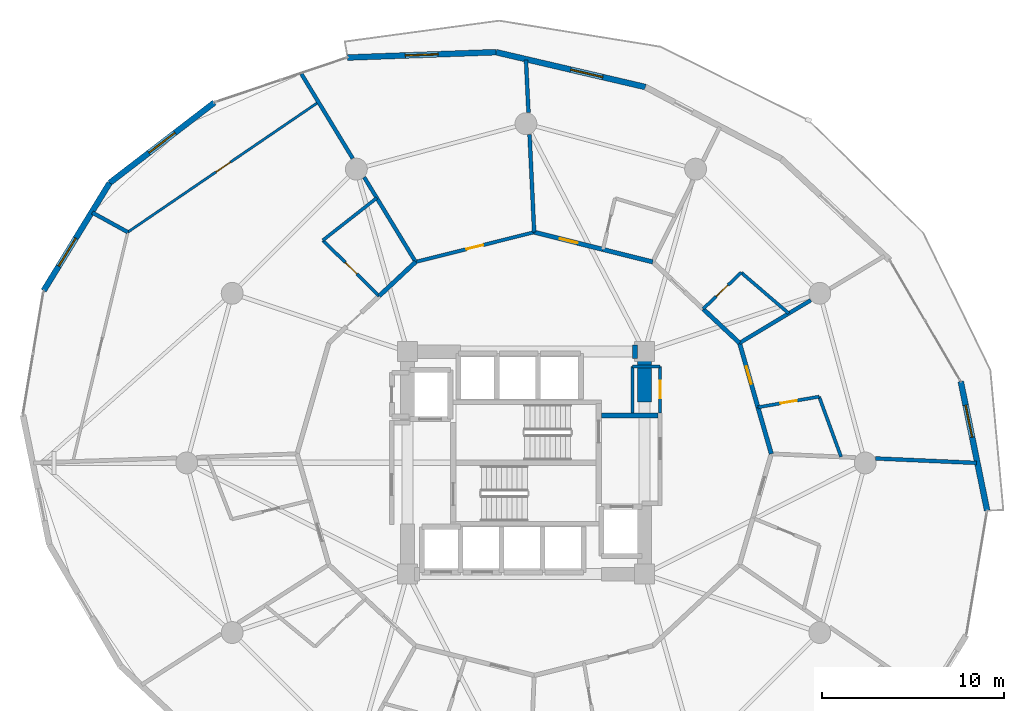
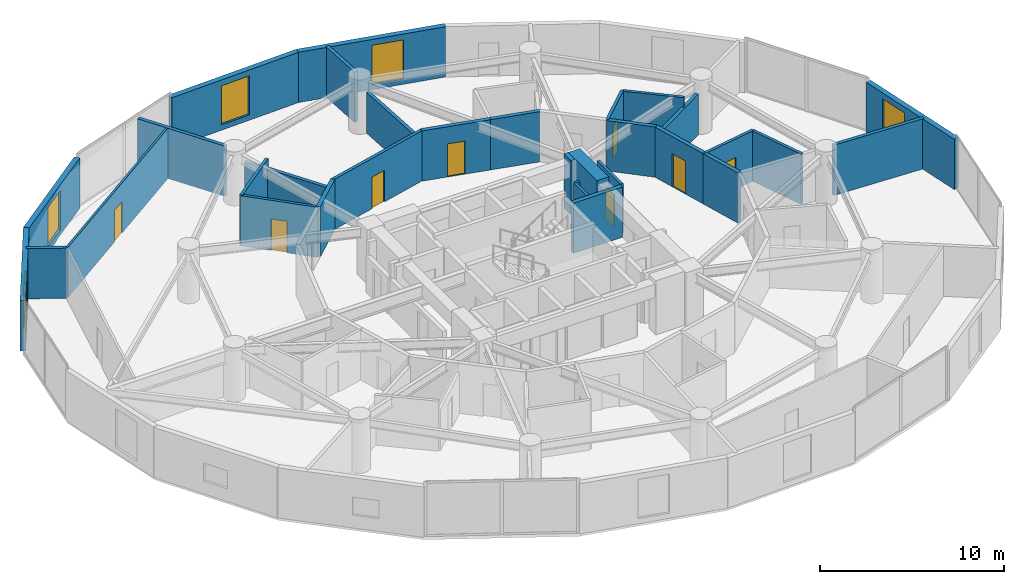
# One storey, part 20 of 23: 32 walls, 8 doors, 5 windows, 13 openings.
"""IFC4 building model written with IfcOpenShell, lengths in metres."""

from ifc_helpers import new_model, si_unit, direction, frame, frame_2d, origin, place, context, subcontext, project, spatial, rectangle, extrude, material, layer, layer_set, type_object, element, fill, save


model = new_model("IFC4")

# Units and contexts
model_context = context("Model", 3, precision=1e-05, world=origin(), true_north=direction((0.0, 1.0)))
body_context = subcontext(model_context, "Body", "Model", "MODEL_VIEW")
ifc_project = project(units=[si_unit("LENGTHUNIT", "METRE"), si_unit("AREAUNIT", "SQUARE_METRE"), si_unit("VOLUMEUNIT", "CUBIC_METRE"), si_unit("PLANEANGLEUNIT", "RADIAN"), si_unit("MASSUNIT", "GRAM", prefix="KILO")], contexts=[model_context])

# Site, building, storey
site_placement = place(None, origin())
site = spatial("IfcSite", under=ifc_project, at=site_placement, CompositionType="ELEMENT")
building_placement = place(site_placement, origin())
building = spatial("IfcBuilding", under=site, at=building_placement, Name="Solvirekh Grand Hotel", CompositionType="ELEMENT")
storey_placement = place(building_placement, frame((0.0, 0.0, 75.199951171875)))
storey = spatial("IfcBuildingStorey", under=building, at=storey_placement, Name="L18", CompositionType="ELEMENT", Elevation=75.199951171875)

# Walls
ifc_material_1 = material(Name="Concrete C60/75", Category="concrete")
ifc_layer_1 = layer(ifc_material_1, 0.75)
ifc_layer_set_1 = layer_set([ifc_layer_1], Name="Concrete C60/75")
wall_type_1 = type_object("IfcWallType", Name="CoreWall_RC750", PredefinedType="SHEAR", material=ifc_layer_set_1)
wall_1_placement = place(storey_placement, frame((5.85009765625, 6.10009765625, 0.0), z_axis=(0.0, 0.0, 1.0), x_axis=(1.0, 0.0, 0.0)))
element("IfcWall", 1, at=wall_1_placement, inside=storey, type_object=wall_type_1, Name="L18 core corner shear wall NE-N", PredefinedType="SHEAR", context=body_context, shape_type="SweptSolid", body=[
    extrude(rectangle(XDim=0.27490234375, YDim=0.75, at=frame_2d((0.137451171875, 0.0))), origin(), (0.0, 0.0, 1.0), 3.60009765625),
])
wall_2_placement = place(storey_placement, frame((6.5, 3.35009765625, 0.0), z_axis=(0.0, 0.0, 1.0), x_axis=(0.0, 1.0, 0.0)))
element("IfcWall", 2, at=wall_2_placement, inside=storey, type_object=wall_type_1, Name="L18 core corner shear wall EN-E", PredefinedType="SHEAR", context=body_context, shape_type="SweptSolid", body=[
    extrude(rectangle(XDim=3.125, YDim=0.75, at=frame_2d((1.5625, 0.0))), origin(), (0.0, 0.0, 1.0), 3.60009765625),
])

# Wall, opening, window
ifc_material_2 = material(Name="Precast concrete C45/55", Category="concrete")
ifc_layer_2 = layer(ifc_material_2, 0.320068359375)
ifc_layer_set_2 = layer_set([ifc_layer_2], Name="Precast concrete C45/55")
wall_type_2 = type_object("IfcWallType", Name="ExtLobbyWall_RC320", PredefinedType="SOLIDWALL", material=ifc_layer_set_2)
wall_3_placement = place(storey_placement, frame((23.8369140625, 4.470947265625, 0.0), z_axis=(0.0, 0.0, 1.0), x_axis=(0.200054576405, -0.979784755168, 0.0)))
wall_3 = element("IfcWall", 3, at=wall_3_placement, inside=storey, type_object=wall_type_2, Name="L18 exterior structural wall chord 2", PredefinedType="SOLIDWALL", context=body_context, shape_type="SweptSolid", body=[
    extrude(rectangle(XDim=7.233154296875, YDim=0.320068359375, at=frame_2d((3.61669921875, 0.0))), origin(), (0.0, 0.0, 1.0), 3.340087890625),
])
opening_1_placement = place(wall_3_placement, frame((1.327880859375, 0.0, 0.35009765625)))
opening_1 = element("IfcOpeningElement", 4, at=opening_1_placement, cuts=wall_3, Name="Opening W02", PredefinedType="OPENING", context=body_context, shape_type="SweptSolid", body=[
    extrude(rectangle(XDim=1.800048828125, YDim=2.60009765625, at=frame_2d((0.89990234375, 1.300048828125))), frame((0.0, 0.169921875, 0.0), z_axis=(0.0, -1.0, 0.0), x_axis=(1.0, 0.0, 0.0)), (0.0, 0.0, 1.0), 0.340087890625),
])
ifc_material_3 = material(Name="Low-E Tinted Bronze Laminated Glass", Category="aluminium")
window_type = type_object("IfcWindowType", Name="Win_LobbyExt_1800X2600", PartitioningType="SINGLE_PANEL", PredefinedType="WINDOW", material=ifc_material_3)
window_1_placement = place(opening_1_placement, origin())
window_1 = element("IfcWindow", 5, at=window_1_placement, inside=storey, type_object=window_type, Name="L18 panoramic bronze-framed window 2", OverallHeight=2.60009765625, OverallWidth=1.800048828125, PartitioningType="SINGLE_PANEL", PredefinedType="WINDOW", context=body_context, shape_type="SweptSolid", body=[
    extrude(rectangle(XDim=1.800048828125, YDim=2.60009765625, at=frame_2d((0.89990234375, 1.300048828125))), frame((0.0, 0.030029296875, 0.0), z_axis=(0.0, -1.0, 0.0), x_axis=(1.0, 0.0, 0.0)), (0.0, 0.0, 1.0), 0.06005859375),
])
fill(opening_1, window_1)

wall_4_placement = place(storey_placement, frame((-1.64501953125, 22.52001953125, 0.0), z_axis=(0.0, 0.0, 1.0), x_axis=(0.973850842265, -0.227188329407, 0.0)))
wall_4 = element("IfcWall", 6, at=wall_4_placement, inside=storey, type_object=wall_type_2, Name="L18 exterior structural wall chord 6", PredefinedType="SOLIDWALL", context=body_context, shape_type="SweptSolid", body=[
    extrude(rectangle(XDim=8.412109375, YDim=0.320068359375, at=frame_2d((4.2060546875, 0.0))), origin(), (0.0, 0.0, 1.0), 3.340087890625),
])
opening_2_placement = place(wall_4_placement, frame((4.205078125, 0.0, 0.35009765625)))
opening_2 = element("IfcOpeningElement", 7, at=opening_2_placement, cuts=wall_4, Name="Opening W02", PredefinedType="OPENING", context=body_context, shape_type="SweptSolid", body=[
    extrude(rectangle(XDim=1.800048828125, YDim=2.60009765625, at=frame_2d((0.89990234375, 1.300048828125))), frame((0.0, 0.169921875, 0.0), z_axis=(0.0, -1.0, 0.0), x_axis=(1.0, 0.0, 0.0)), (0.0, 0.0, 1.0), 0.340087890625),
])
window_2_placement = place(opening_2_placement, origin())
window_2 = element("IfcWindow", 8, at=window_2_placement, inside=storey, type_object=window_type, Name="L18 panoramic bronze-framed window 6", OverallHeight=2.60009765625, OverallWidth=1.800048828125, PartitioningType="SINGLE_PANEL", PredefinedType="WINDOW", context=body_context, shape_type="SweptSolid", body=[
    extrude(rectangle(XDim=1.800048828125, YDim=2.60009765625, at=frame_2d((0.89990234375, 1.300048828125))), frame((0.0, 0.030029296875, 0.0), z_axis=(0.0, -1.0, 0.0), x_axis=(1.0, 0.0, 0.0)), (0.0, 0.0, 1.0), 0.06005859375),
])
fill(opening_2, window_2)

wall_5_placement = place(storey_placement, frame((-9.7900390625, 22.22607421875, 0.0), z_axis=(0.0, 0.0, 1.0), x_axis=(0.999349428773, 0.03606548505, 0.0)))
wall_5 = element("IfcWall", 9, at=wall_5_placement, inside=storey, type_object=wall_type_2, Name="L18 exterior structural wall chord 7", PredefinedType="SOLIDWALL", context=body_context, shape_type="SweptSolid", body=[
    extrude(rectangle(XDim=8.150390625, YDim=0.320068359375, at=frame_2d((4.0751953125, 0.0))), origin(), (0.0, 0.0, 1.0), 3.340087890625),
])
opening_3_placement = place(wall_5_placement, frame((3.175048828125, 0.0, 0.35009765625)))
opening_3 = element("IfcOpeningElement", 10, at=opening_3_placement, cuts=wall_5, Name="Opening W02", PredefinedType="OPENING", context=body_context, shape_type="SweptSolid", body=[
    extrude(rectangle(XDim=1.800048828125, YDim=2.60009765625, at=frame_2d((0.89990234375, 1.300048828125))), frame((0.0, 0.169921875, 0.0), z_axis=(0.0, -1.0, 0.0), x_axis=(1.0, 0.0, 0.0)), (0.0, 0.0, 1.0), 0.340087890625),
])
window_3_placement = place(opening_3_placement, origin())
window_3 = element("IfcWindow", 11, at=window_3_placement, inside=storey, type_object=window_type, Name="L18 panoramic bronze-framed window 7", OverallHeight=2.60009765625, OverallWidth=1.800048828125, PartitioningType="SINGLE_PANEL", PredefinedType="WINDOW", context=body_context, shape_type="SweptSolid", body=[
    extrude(rectangle(XDim=1.800048828125, YDim=2.60009765625, at=frame_2d((0.89990234375, 1.300048828125))), frame((0.0, 0.030029296875, 0.0), z_axis=(0.0, -1.0, 0.0), x_axis=(1.0, 0.0, 0.0)), (0.0, 0.0, 1.0), 0.06005859375),
])
fill(opening_3, window_3)

wall_6_placement = place(storey_placement, frame((-22.826904296875, 15.35302734375, 0.0), z_axis=(0.0, 0.0, 1.0), x_axis=(0.793329795388, 0.608792112095, 0.0)))
wall_6 = element("IfcWall", 12, at=wall_6_placement, inside=storey, type_object=wall_type_2, Name="L18 exterior structural wall chord 9", PredefinedType="SOLIDWALL", context=body_context, shape_type="SweptSolid", body=[
    extrude(rectangle(XDim=7.234130859375, YDim=0.320068359375, at=frame_2d((3.6171875, 0.0))), origin(), (0.0, 0.0, 1.0), 3.340087890625),
])
opening_4_placement = place(wall_6_placement, frame((2.717041015625, 0.0, 0.35009765625)))
opening_4 = element("IfcOpeningElement", 13, at=opening_4_placement, cuts=wall_6, Name="Opening W02", PredefinedType="OPENING", context=body_context, shape_type="SweptSolid", body=[
    extrude(rectangle(XDim=1.800048828125, YDim=2.60009765625, at=frame_2d((0.89990234375, 1.300048828125))), frame((0.0, 0.169921875, 0.0), z_axis=(0.0, -1.0, 0.0), x_axis=(1.0, 0.0, 0.0)), (0.0, 0.0, 1.0), 0.340087890625),
])
window_4_placement = place(opening_4_placement, origin())
window_4 = element("IfcWindow", 14, at=window_4_placement, inside=storey, type_object=window_type, Name="L18 panoramic bronze-framed window 9", OverallHeight=2.60009765625, OverallWidth=1.800048828125, PartitioningType="SINGLE_PANEL", PredefinedType="WINDOW", context=body_context, shape_type="SweptSolid", body=[
    extrude(rectangle(XDim=1.800048828125, YDim=2.60009765625, at=frame_2d((0.89990234375, 1.300048828125))), frame((0.0, 0.030029296875, 0.0), z_axis=(0.0, -1.0, 0.0), x_axis=(1.0, 0.0, 0.0)), (0.0, 0.0, 1.0), 0.06005859375),
])
fill(opening_4, window_4)

wall_7_placement = place(storey_placement, frame((-26.443115234375, 9.447021484375, 0.0), z_axis=(0.0, 0.0, 1.0), x_axis=(0.522184211397, 0.852832720625, 0.0)))
wall_7 = element("IfcWall", 15, at=wall_7_placement, inside=storey, type_object=wall_type_2, Name="L18 exterior structural wall chord 10", PredefinedType="SOLIDWALL", context=body_context, shape_type="SweptSolid", body=[
    extrude(rectangle(XDim=6.925048828125, YDim=0.320068359375, at=frame_2d((3.46240234375, 0.0))), origin(), (0.0, 0.0, 1.0), 3.340087890625),
])
opening_5_placement = place(wall_7_placement, frame((1.571044921875, 0.0, 0.35009765625)))
opening_5 = element("IfcOpeningElement", 16, at=opening_5_placement, cuts=wall_7, Name="Opening W02", PredefinedType="OPENING", context=body_context, shape_type="SweptSolid", body=[
    extrude(rectangle(XDim=1.800048828125, YDim=2.60009765625, at=frame_2d((0.89990234375, 1.300048828125))), frame((0.0, 0.169921875, 0.0), z_axis=(0.0, -1.0, 0.0), x_axis=(1.0, 0.0, 0.0)), (0.0, 0.0, 1.0), 0.340087890625),
])
window_5_placement = place(opening_5_placement, origin())
window_5 = element("IfcWindow", 17, at=window_5_placement, inside=storey, type_object=window_type, Name="L18 panoramic bronze-framed window 10", OverallHeight=2.60009765625, OverallWidth=1.800048828125, PartitioningType="SINGLE_PANEL", PredefinedType="WINDOW", context=body_context, shape_type="SweptSolid", body=[
    extrude(rectangle(XDim=1.800048828125, YDim=2.60009765625, at=frame_2d((0.89990234375, 1.300048828125))), frame((0.0, 0.030029296875, 0.0), z_axis=(0.0, -1.0, 0.0), x_axis=(1.0, 0.0, 0.0)), (0.0, 0.0, 1.0), 0.06005859375),
])
fill(opening_5, window_5)

# Wall, opening, door
ifc_material_4 = material(Name="Acoustic Gypsum Partition Assembly")
ifc_layer_3 = layer(ifc_material_4, 0.1650390625)
ifc_layer_set_3 = layer_set([ifc_layer_3], Name="Acoustic Gypsum Partition Assembly")
wall_type_3 = type_object("IfcWallType", Name="Part_BOH_165", PredefinedType="PARTITIONING", material=ifc_layer_set_3)
wall_8_placement = place(storey_placement, frame((7.35009765625, 2.75, 0.0), z_axis=(0.0, 0.0, 1.0), x_axis=(0.0, 1.0, 0.0)))
wall_8 = element("IfcWall", 18, at=wall_8_placement, inside=storey, type_object=wall_type_3, Name="L18 L18 Core Housekeeping & Linen Room wall 2", PredefinedType="PARTITIONING", context=body_context, shape_type="SweptSolid", body=[
    extrude(rectangle(XDim=2.550048828125, YDim=0.1650390625, at=frame_2d((1.27490234375, 0.0))), origin(), (0.0, 0.0, 1.0), 3.340087890625),
])
opening_6_placement = place(wall_8_placement, frame((0.800048828125, 0.0, 0.0)))
opening_6 = element("IfcOpeningElement", 19, at=opening_6_placement, cuts=wall_8, Name="Opening D10", PredefinedType="OPENING", context=body_context, shape_type="SweptSolid", body=[
    extrude(rectangle(XDim=0.949951171875, YDim=2.10009765625, at=frame_2d((0.47509765625, 1.050048828125))), frame((0.0, 0.092529296875, 0.0), z_axis=(0.0, -1.0, 0.0), x_axis=(1.0, 0.0, 0.0)), (0.0, 0.0, 1.0), 0.18505859375),
])
ifc_material_5 = material(Name="Anodized Bronze Aluminium 6063-T6", Category="aluminium")
door_type_1 = type_object("IfcDoorType", Name="Door_RoomInt_950X2100", OperationType="NOTDEFINED", PredefinedType="DOOR", material=ifc_material_5)
door_1_placement = place(opening_6_placement, origin())
door_1 = element("IfcDoor", 20, at=door_1_placement, inside=storey, type_object=door_type_1, Name="L18 L18 Core Housekeeping & Linen Room door", OperationType="SINGLE_SWING_RIGHT", OverallHeight=2.10009765625, OverallWidth=0.949951171875, PredefinedType="DOOR", context=body_context, shape_type="SweptSolid", body=[
    extrude(rectangle(XDim=0.949951171875, YDim=2.10009765625, at=frame_2d((0.47509765625, 1.050048828125))), frame((0.0, 0.02490234375, 0.0), z_axis=(0.0, -1.0, 0.0), x_axis=(1.0, 0.0, 0.0)), (0.0, 0.0, 1.0), 0.050048828125),
])
fill(opening_6, door_1)

# Walls
wall_9_placement = place(storey_placement, frame((7.35009765625, 5.300048828125, 0.0), z_axis=(0.0, 0.0, 1.0), x_axis=(-1.0, 0.0, 0.0)))
element("IfcWall", 21, at=wall_9_placement, inside=storey, type_object=wall_type_3, Name="L18 L18 Core Housekeeping & Linen Room wall 3", PredefinedType="PARTITIONING", context=body_context, shape_type="SweptSolid", body=[
    extrude(rectangle(XDim=1.5, YDim=0.1650390625, at=frame_2d((0.75, 0.0))), origin(), (0.0, 0.0, 1.0), 2.425048828125),
])
wall_10_placement = place(storey_placement, frame((5.85009765625, 5.300048828125, 0.0), z_axis=(0.0, 0.0, 1.0), x_axis=(0.0, -1.0, 0.0)))
element("IfcWall", 22, at=wall_10_placement, inside=storey, type_object=wall_type_3, Name="L18 L18 Core Housekeeping & Linen Room wall 4", PredefinedType="PARTITIONING", context=body_context, shape_type="SweptSolid", body=[
    extrude(rectangle(XDim=2.550048828125, YDim=0.1650390625, at=frame_2d((1.27490234375, 0.0))), origin(), (0.0, 0.0, 1.0), 2.425048828125),
])
ifc_layer_4 = layer(ifc_material_4, 0.239990234375)
ifc_layer_set_4 = layer_set([ifc_layer_4], Name="Acoustic Gypsum Partition Assembly")
wall_type_4 = type_object("IfcWallType", Name="Part_Corridor_240", PredefinedType="PARTITIONING", material=ifc_layer_set_4)
wall_11_placement = place(storey_placement, frame((-6.050048828125, 11.02197265625, 0.0), z_axis=(0.0, 0.0, 1.0), x_axis=(-0.730494026404, -0.682919085535, 0.0)))
element("IfcWall", 23, at=wall_11_placement, inside=storey, type_object=wall_type_4, Name="L18 En-suite Bathroom 2001 corridor backing wall", PredefinedType="PARTITIONING", context=body_context, shape_type="SweptSolid", body=[
    extrude(rectangle(XDim=2.735107421875, YDim=0.239990234375, at=frame_2d((1.36767578125, 0.0))), origin(), (0.0, 0.0, 1.0), 3.340087890625),
])
wall_12_placement = place(storey_placement, frame((13.449951171875, 0.5, 0.0), z_axis=(0.0, 0.0, 1.0), x_axis=(-0.275790140823, 0.961217872402, 0.0)))
element("IfcWall", 24, at=wall_12_placement, inside=storey, type_object=wall_type_4, Name="L18 En-suite Bathroom 2007 corridor backing wall", PredefinedType="PARTITIONING", context=body_context, shape_type="SweptSolid", body=[
    extrude(rectangle(XDim=2.654052734375, YDim=0.239990234375, at=frame_2d((1.3271484375, 0.0))), origin(), (0.0, 0.0, 1.0), 3.340087890625),
])

# Wall, opening, door
wall_13_placement = place(storey_placement, frame((12.718017578125, 3.051025390625, 0.0), z_axis=(0.0, 0.0, 1.0), x_axis=(-0.275521481409, 0.961294914832, 0.0)))
wall_13 = element("IfcWall", 25, at=wall_13_placement, inside=storey, type_object=wall_type_4, Name="L18 Deluxe Guestroom 2007 entrance wall", PredefinedType="PARTITIONING", context=body_context, shape_type="SweptSolid", body=[
    extrude(rectangle(XDim=3.665771484375, YDim=0.239990234375, at=frame_2d((1.8330078125, 0.0))), origin(), (0.0, 0.0, 1.0), 3.340087890625),
])
opening_7_placement = place(wall_13_placement, frame((1.3330078125, 0.0, 0.0)))
opening_7 = element("IfcOpeningElement", 26, at=opening_7_placement, cuts=wall_13, Name="Opening D07", PredefinedType="OPENING", context=body_context, shape_type="SweptSolid", body=[
    extrude(rectangle(XDim=1.0, YDim=2.199951171875, at=frame_2d((0.5, 1.10009765625))), frame((0.0, 0.1298828125, 0.0), z_axis=(0.0, -1.0, 0.0), x_axis=(1.0, 0.0, 0.0)), (0.0, 0.0, 1.0), 0.260009765625),
])
ifc_material_6 = material(Name="Fire-Rated Steel Door Assembly", Category="steel")
door_type_2 = type_object("IfcDoorType", Name="Door_GuestEntry_1000X2200", OperationType="NOTDEFINED", PredefinedType="DOOR", material=ifc_material_6)
door_2_placement = place(opening_7_placement, origin())
door_2 = element("IfcDoor", 27, at=door_2_placement, inside=storey, type_object=door_type_2, Name="L18 Deluxe Guestroom 2007 entrance door", OperationType="SINGLE_SWING_RIGHT", OverallHeight=2.199951171875, OverallWidth=1.0, PredefinedType="DOOR", context=body_context, shape_type="SweptSolid", body=[
    extrude(rectangle(XDim=1.0, YDim=2.199951171875, at=frame_2d((0.5, 1.10009765625))), frame((0.0, 0.02490234375, 0.0), z_axis=(0.0, -1.0, 0.0), x_axis=(1.0, 0.0, 0.0)), (0.0, 0.0, 1.0), 0.050048828125),
])
fill(opening_7, door_2)

# Walls
wall_14_placement = place(storey_placement, frame((11.7080078125, 6.574951171875, 0.0), z_axis=(0.0, 0.0, 1.0), x_axis=(-0.730449499178, 0.682966711597, 0.0)))
element("IfcWall", 28, at=wall_14_placement, inside=storey, type_object=wall_type_4, Name="L18 En-suite Bathroom 2008 corridor backing wall", PredefinedType="PARTITIONING", context=body_context, shape_type="SweptSolid", body=[
    extrude(rectangle(XDim=2.7353515625, YDim=0.239990234375, at=frame_2d((1.36767578125, 0.0))), origin(), (0.0, 0.0, 1.0), 3.340087890625),
])
wall_15_placement = place(storey_placement, frame((6.949951171875, 11.02197265625, 0.0), z_axis=(0.0, 0.0, 1.0), x_axis=(-0.970009682466, 0.243066278865, 0.0)))
element("IfcWall", 29, at=wall_15_placement, inside=storey, type_object=wall_type_4, Name="L18 En-suite Bathroom 2009 corridor backing wall", PredefinedType="PARTITIONING", context=body_context, shape_type="SweptSolid", body=[
    extrude(rectangle(XDim=2.814453125, YDim=0.239990234375, at=frame_2d((1.4072265625, 0.0))), origin(), (0.0, 0.0, 1.0), 3.340087890625),
])

# Wall, opening, door
wall_16_placement = place(storey_placement, frame((4.219970703125, 11.7060546875, 0.0), z_axis=(0.0, 0.0, 1.0), x_axis=(-0.970061149619, 0.24286079552, 0.0)))
wall_16 = element("IfcWall", 30, at=wall_16_placement, inside=storey, type_object=wall_type_4, Name="L18 Deluxe Guestroom 2009 entrance wall", PredefinedType="PARTITIONING", context=body_context, shape_type="SweptSolid", body=[
    extrude(rectangle(XDim=3.886474609375, YDim=0.239990234375, at=frame_2d((1.943359375, 0.0))), origin(), (0.0, 0.0, 1.0), 3.340087890625),
])
opening_8_placement = place(wall_16_placement, frame((1.443115234375, 0.0, 0.0)))
opening_8 = element("IfcOpeningElement", 31, at=opening_8_placement, cuts=wall_16, Name="Opening D07", PredefinedType="OPENING", context=body_context, shape_type="SweptSolid", body=[
    extrude(rectangle(XDim=1.0, YDim=2.199951171875, at=frame_2d((0.5, 1.10009765625))), frame((0.0, 0.1298828125, 0.0), z_axis=(0.0, -1.0, 0.0), x_axis=(1.0, 0.0, 0.0)), (0.0, 0.0, 1.0), 0.260009765625),
])
door_3_placement = place(opening_8_placement, origin())
door_3 = element("IfcDoor", 32, at=door_3_placement, inside=storey, type_object=door_type_2, Name="L18 Deluxe Guestroom 2009 entrance door", OperationType="SINGLE_SWING_RIGHT", OverallHeight=2.199951171875, OverallWidth=1.0, PredefinedType="DOOR", context=body_context, shape_type="SweptSolid", body=[
    extrude(rectangle(XDim=1.0, YDim=2.199951171875, at=frame_2d((0.5, 1.10009765625))), frame((0.0, 0.02490234375, 0.0), z_axis=(0.0, -1.0, 0.0), x_axis=(1.0, 0.0, 0.0)), (0.0, 0.0, 1.0), 0.050048828125),
])
fill(opening_8, door_3)

ifc_layer_5 = layer(ifc_material_4, 0.18994140625)
ifc_layer_set_5 = layer_set([ifc_layer_5], Name="Acoustic Gypsum Partition Assembly")
wall_type_5 = type_object("IfcWallType", Name="Part_GuestDemise_190", PredefinedType="PARTITIONING", material=ifc_layer_set_5)
wall_17_placement = place(storey_placement, frame((0.449951171875, 12.64990234375, 0.0), z_axis=(0.0, 0.0, 1.0), x_axis=(-0.970039538206, -0.242947101891, 0.0)))
wall_17 = element("IfcWall", 33, at=wall_17_placement, inside=storey, type_object=wall_type_5, Name="L18 L18 Constructivist Reading Lounge entrance wall", PredefinedType="PARTITIONING", context=body_context, shape_type="SweptSolid", body=[
    extrude(rectangle(XDim=6.70068359375, YDim=0.18994140625, at=frame_2d((3.350341796875, 0.0))), origin(), (0.0, 0.0, 1.0), 3.340087890625),
])
opening_9_placement = place(wall_17_placement, frame((2.875, 0.0, 0.0)))
opening_9 = element("IfcOpeningElement", 34, at=opening_9_placement, cuts=wall_17, Name="Opening D10", PredefinedType="OPENING", context=body_context, shape_type="SweptSolid", body=[
    extrude(rectangle(XDim=0.949951171875, YDim=2.10009765625, at=frame_2d((0.47509765625, 1.050048828125))), frame((0.0, 0.10498046875, 0.0), z_axis=(0.0, -1.0, 0.0), x_axis=(1.0, 0.0, 0.0)), (0.0, 0.0, 1.0), 0.2099609375),
])
door_4_placement = place(opening_9_placement, origin())
door_4 = element("IfcDoor", 35, at=door_4_placement, inside=storey, type_object=door_type_1, Name="L18 L18 Constructivist Reading Lounge entrance door", OperationType="SINGLE_SWING_LEFT", OverallHeight=2.10009765625, OverallWidth=0.949951171875, PredefinedType="DOOR", context=body_context, shape_type="SweptSolid", body=[
    extrude(rectangle(XDim=0.949951171875, YDim=2.10009765625, at=frame_2d((0.47509765625, 1.050048828125))), frame((0.0, 0.02490234375, 0.0), z_axis=(0.0, -1.0, 0.0), x_axis=(1.0, 0.0, 0.0)), (0.0, 0.0, 1.0), 0.050048828125),
])
fill(opening_9, door_4)

# Wall
ifc_layer_6 = layer(ifc_material_4, 0.260009765625)
ifc_layer_set_6 = layer_set([ifc_layer_6], Name="Acoustic Gypsum Partition Assembly")
wall_type_6 = type_object("IfcWallType", Name="Part_LobbyFF_260", PredefinedType="PARTITIONING", material=ifc_layer_set_6)
wall_18_placement = place(storey_placement, frame((4.1298828125, 2.60009765625, 0.0), z_axis=(0.0, 0.0, 1.0), x_axis=(1.0, 0.0, 0.0)))
element("IfcWall", 36, at=wall_18_placement, inside=storey, type_object=wall_type_6, Name="L18 east firefighting lobby north partition", PredefinedType="PARTITIONING", context=body_context, shape_type="SweptSolid", body=[
    extrude(rectangle(XDim=3.09521484375, YDim=0.260009765625, at=frame_2d((1.547607421875, 0.0))), origin(), (0.0, 0.0, 1.0), 3.340087890625),
])

# Wall, opening, door
ifc_layer_7 = layer(ifc_material_4, 0.135009765625)
ifc_layer_set_7 = layer_set([ifc_layer_7], Name="Acoustic Gypsum Partition Assembly")
wall_type_7 = type_object("IfcWallType", Name="Part_RoomInt_135", PredefinedType="PARTITIONING", material=ifc_layer_set_7)
wall_19_placement = place(storey_placement, frame((-11.375, 19.783935546875, 0.0), z_axis=(0.0, 0.0, 1.0), x_axis=(-0.826199588729, -0.563377528469, 0.0)))
wall_19 = element("IfcWall", 37, at=wall_19_placement, inside=storey, type_object=wall_type_7, Name="L18 Executive Suite 2001 Living Room bedroom screen wall", PredefinedType="PARTITIONING", context=body_context, shape_type="SweptSolid", body=[
    extrude(rectangle(XDim=12.655517578125, YDim=0.135009765625, at=frame_2d((6.32763671875, 0.0))), origin(), (0.0, 0.0, 1.0), 3.340087890625),
])
opening_10_placement = place(wall_19_placement, frame((5.85302734375, 0.0, 0.0)))
opening_10 = element("IfcOpeningElement", 38, at=opening_10_placement, cuts=wall_19, Name="Opening D10", PredefinedType="OPENING", context=body_context, shape_type="SweptSolid", body=[
    extrude(rectangle(XDim=0.949951171875, YDim=2.10009765625, at=frame_2d((0.47509765625, 1.050048828125))), frame((0.0, 0.07763671875, 0.0), z_axis=(0.0, -1.0, 0.0), x_axis=(1.0, 0.0, 0.0)), (0.0, 0.0, 1.0), 0.155029296875),
])
door_5_placement = place(opening_10_placement, origin())
door_5 = element("IfcDoor", 39, at=door_5_placement, inside=storey, type_object=door_type_1, Name="L18 Executive Suite 2001 Living Room master bedroom door", OperationType="SINGLE_SWING_LEFT", OverallHeight=2.10009765625, OverallWidth=0.949951171875, PredefinedType="DOOR", context=body_context, shape_type="SweptSolid", body=[
    extrude(rectangle(XDim=0.949951171875, YDim=2.10009765625, at=frame_2d((0.47509765625, 1.050048828125))), frame((0.0, 0.02490234375, 0.0), z_axis=(0.0, -1.0, 0.0), x_axis=(1.0, 0.0, 0.0)), (0.0, 0.0, 1.0), 0.050048828125),
])
fill(opening_10, door_5)

# Walls
ifc_layer_8 = layer(ifc_material_4, 0.2099609375)
ifc_layer_set_8 = layer_set([ifc_layer_8], Name="Acoustic Gypsum Partition Assembly")
wall_type_8 = type_object("IfcWallType", Name="Part_SuiteDemise_210", PredefinedType="PARTITIONING", material=ifc_layer_set_8)
wall_20_placement = place(storey_placement, frame((19.1689453125, 0.24609375, 0.0), z_axis=(0.0, 0.0, 1.0), x_axis=(0.999015194397, -0.044369374161, 0.0)))
element("IfcWall", 40, at=wall_20_placement, inside=storey, type_object=wall_type_8, Name="L18 suite radial wall 1 (B)", PredefinedType="PARTITIONING", context=body_context, shape_type="SweptSolid", body=[
    extrude(rectangle(XDim=5.54638671875, YDim=0.2099609375, at=frame_2d((2.773193359375, 0.0))), origin(), (0.0, 0.0, 1.0), 3.340087890625),
])
wall_21_placement = place(storey_placement, frame((11.7080078125, 6.574951171875, 0.0), z_axis=(0.0, 0.0, 1.0), x_axis=(0.857261290525, 0.514881617236, 0.0)))
element("IfcWall", 41, at=wall_21_placement, inside=storey, type_object=wall_type_8, Name="L18 suite radial wall 2 (A)", PredefinedType="PARTITIONING", context=body_context, shape_type="SweptSolid", body=[
    extrude(rectangle(XDim=4.55859375, YDim=0.2099609375, at=frame_2d((2.279296875, 0.0))), origin(), (0.0, 0.0, 1.0), 2.708984375),
])
wall_22_placement = place(storey_placement, frame((0.449951171875, 12.64990234375, 0.0), z_axis=(0.0, 0.0, 1.0), x_axis=(-0.047489507413, 0.998871736854, 0.0)))
element("IfcWall", 42, at=wall_22_placement, inside=storey, type_object=wall_type_8, Name="L18 suite radial wall 4 (A)", PredefinedType="PARTITIONING", context=body_context, shape_type="SweptSolid", body=[
    extrude(rectangle(XDim=5.3671875, YDim=0.2099609375, at=frame_2d((2.68359375, 0.0))), origin(), (0.0, 0.0, 1.0), 2.708984375),
])
wall_23_placement = place(storey_placement, frame((0.137939453125, 19.205078125, 0.0), z_axis=(0.0, 0.0, 1.0), x_axis=(-0.047661338337, 0.998863552658, 0.0)))
element("IfcWall", 43, at=wall_23_placement, inside=storey, type_object=wall_type_8, Name="L18 suite radial wall 4 (B)", PredefinedType="PARTITIONING", context=body_context, shape_type="SweptSolid", body=[
    extrude(rectangle(XDim=2.89404296875, YDim=0.2099609375, at=frame_2d((1.447021484375, 0.0))), origin(), (0.0, 0.0, 1.0), 3.340087890625),
])
wall_24_placement = place(storey_placement, frame((-6.050048828125, 11.02197265625, 0.0), z_axis=(0.0, 0.0, 1.0), x_axis=(-0.519360576882, 0.85455520078, 0.0)))
element("IfcWall", 44, at=wall_24_placement, inside=storey, type_object=wall_type_8, Name="L18 suite radial wall 5 (A)", PredefinedType="PARTITIONING", context=body_context, shape_type="SweptSolid", body=[
    extrude(rectangle(XDim=5.429931640625, YDim=0.2099609375, at=frame_2d((2.71484375, 0.0))), origin(), (0.0, 0.0, 1.0), 2.708984375),
])
wall_25_placement = place(storey_placement, frame((-9.498046875, 16.695068359375, 0.0), z_axis=(0.0, 0.0, 1.0), x_axis=(-0.519352781988, 0.854559938121, 0.0)))
element("IfcWall", 45, at=wall_25_placement, inside=storey, type_object=wall_type_8, Name="L18 suite radial wall 5 (B)", PredefinedType="PARTITIONING", context=body_context, shape_type="SweptSolid", body=[
    extrude(rectangle(XDim=5.423828125, YDim=0.2099609375, at=frame_2d((2.7119140625, 0.0))), origin(), (0.0, 0.0, 1.0), 3.340087890625),
])
wall_26_placement = place(storey_placement, frame((-21.8310546875, 12.654052734375, 0.0), z_axis=(0.0, 0.0, 1.0), x_axis=(-0.875579287151, 0.483074437237, 0.0)))
element("IfcWall", 46, at=wall_26_placement, inside=storey, type_object=wall_type_8, Name="L18 Executive Suite 2001 Living Room dividing partition 1", PredefinedType="PARTITIONING", context=body_context, shape_type="SweptSolid", body=[
    extrude(rectangle(XDim=2.22119140625, YDim=0.2099609375, at=frame_2d((1.110595703125, 0.0))), origin(), (0.0, 0.0, 1.0), 3.340087890625),
])
ifc_layer_9 = layer(ifc_material_4, 0.175048828125)
ifc_layer_set_9 = layer_set([ifc_layer_9], Name="Acoustic Gypsum Partition Assembly")
wall_type_9 = type_object("IfcWallType", Name="Plumb_Ensuite_175", PredefinedType="PLUMBINGWALL", material=ifc_layer_set_9)
wall_27_placement = place(storey_placement, frame((-8.179931640625, 14.527099609375, 0.0), z_axis=(0.0, 0.0, 1.0), x_axis=(-0.786773597638, -0.617241691771, 0.0)))
element("IfcWall", 47, at=wall_27_placement, inside=storey, type_object=wall_type_9, Name="L18 En-suite Bathroom 2001 outer plumbing wall", PredefinedType="PLUMBINGWALL", context=body_context, shape_type="SweptSolid", body=[
    extrude(rectangle(XDim=3.757080078125, YDim=0.175048828125, at=frame_2d((1.87841796875, 0.0))), origin(), (0.0, 0.0, 1.0), 3.340087890625),
])

# Wall, opening, door
wall_28_placement = place(storey_placement, frame((-8.048095703125, 9.154052734375, 0.0), z_axis=(0.0, 0.0, 1.0), x_axis=(-0.711002906065, 0.703189069573, 0.0)))
wall_28 = element("IfcWall", 48, at=wall_28_placement, inside=storey, type_object=wall_type_9, Name="L18 En-suite Bathroom 2001 entry plumbing wall", PredefinedType="PLUMBINGWALL", context=body_context, shape_type="SweptSolid", body=[
    extrude(rectangle(XDim=4.343017578125, YDim=0.175048828125, at=frame_2d((2.17138671875, 0.0))), origin(), (0.0, 0.0, 1.0), 3.340087890625),
])
opening_11_placement = place(wall_28_placement, frame((1.721923828125, 0.0, 0.0)))
opening_11 = element("IfcOpeningElement", 49, at=opening_11_placement, cuts=wall_28, Name="Opening D09", PredefinedType="OPENING", context=body_context, shape_type="SweptSolid", body=[
    extrude(rectangle(XDim=0.89990234375, YDim=2.10009765625, at=frame_2d((0.449951171875, 1.050048828125))), frame((0.0, 0.09765625, 0.0), z_axis=(0.0, -1.0, 0.0), x_axis=(1.0, 0.0, 0.0)), (0.0, 0.0, 1.0), 0.195068359375),
])
door_type_3 = type_object("IfcDoorType", Name="Door_Ensuite_900X2100", OperationType="NOTDEFINED", PredefinedType="DOOR", material=ifc_material_5)
door_6_placement = place(opening_11_placement, origin())
door_6 = element("IfcDoor", 50, at=door_6_placement, inside=storey, type_object=door_type_3, Name="L18 En-suite Bathroom 2001 door", OperationType="SINGLE_SWING_LEFT", OverallHeight=2.10009765625, OverallWidth=0.89990234375, PredefinedType="DOOR", context=body_context, shape_type="SweptSolid", body=[
    extrude(rectangle(XDim=0.89990234375, YDim=2.10009765625, at=frame_2d((0.449951171875, 1.050048828125))), frame((0.0, 0.02490234375, 0.0), z_axis=(0.0, -1.0, 0.0), x_axis=(1.0, 0.0, 0.0)), (0.0, 0.0, 1.0), 0.050048828125),
])
fill(opening_11, door_6)

# Wall
wall_29_placement = place(storey_placement, frame((17.278076171875, 0.330078125, 0.0), z_axis=(0.0, 0.0, 1.0), x_axis=(-0.342991514452, 0.939338501827, 0.0)))
element("IfcWall", 51, at=wall_29_placement, inside=storey, type_object=wall_type_9, Name="L18 En-suite Bathroom 2007 outer plumbing wall", PredefinedType="PLUMBINGWALL", context=body_context, shape_type="SweptSolid", body=[
    extrude(rectangle(XDim=3.516357421875, YDim=0.175048828125, at=frame_2d((1.75830078125, 0.0))), origin(), (0.0, 0.0, 1.0), 3.340087890625),
])

# Wall, opening, door
wall_30_placement = place(storey_placement, frame((12.718017578125, 3.051025390625, 0.0), z_axis=(0.0, 0.0, 1.0), x_axis=(0.985274853181, 0.170977962584, 0.0)))
wall_30 = element("IfcWall", 52, at=wall_30_placement, inside=storey, type_object=wall_type_9, Name="L18 En-suite Bathroom 2007 entry plumbing wall", PredefinedType="PLUMBINGWALL", context=body_context, shape_type="SweptSolid", body=[
    extrude(rectangle(XDim=3.404052734375, YDim=0.175048828125, at=frame_2d((1.7021484375, 0.0))), origin(), (0.0, 0.0, 1.0), 3.340087890625),
])
opening_12_placement = place(wall_30_placement, frame((1.251953125, 0.0, 0.0)))
opening_12 = element("IfcOpeningElement", 53, at=opening_12_placement, cuts=wall_30, Name="Opening D09", PredefinedType="OPENING", context=body_context, shape_type="SweptSolid", body=[
    extrude(rectangle(XDim=0.89990234375, YDim=2.10009765625, at=frame_2d((0.449951171875, 1.050048828125))), frame((0.0, 0.09765625, 0.0), z_axis=(0.0, -1.0, 0.0), x_axis=(1.0, 0.0, 0.0)), (0.0, 0.0, 1.0), 0.195068359375),
])
door_7_placement = place(opening_12_placement, origin())
door_7 = element("IfcDoor", 54, at=door_7_placement, inside=storey, type_object=door_type_3, Name="L18 En-suite Bathroom 2007 door", OperationType="SINGLE_SWING_LEFT", OverallHeight=2.10009765625, OverallWidth=0.89990234375, PredefinedType="DOOR", context=body_context, shape_type="SweptSolid", body=[
    extrude(rectangle(XDim=0.89990234375, YDim=2.10009765625, at=frame_2d((0.449951171875, 1.050048828125))), frame((0.0, 0.02490234375, 0.0), z_axis=(0.0, -1.0, 0.0), x_axis=(1.0, 0.0, 0.0)), (0.0, 0.0, 1.0), 0.050048828125),
])
fill(opening_12, door_7)

# Wall
wall_31_placement = place(storey_placement, frame((14.407958984375, 8.196044921875, 0.0), z_axis=(0.0, 0.0, 1.0), x_axis=(-0.758188004492, 0.652036003488, 0.0)))
element("IfcWall", 55, at=wall_31_placement, inside=storey, type_object=wall_type_9, Name="L18 En-suite Bathroom 2008 outer plumbing wall", PredefinedType="PLUMBINGWALL", context=body_context, shape_type="SweptSolid", body=[
    extrude(rectangle(XDim=3.4384765625, YDim=0.175048828125, at=frame_2d((1.71923828125, 0.0))), origin(), (0.0, 0.0, 1.0), 3.340087890625),
])

# Wall, opening, door
wall_32_placement = place(storey_placement, frame((9.7099609375, 8.443115234375, 0.0), z_axis=(0.0, 0.0, 1.0), x_axis=(0.723553055792, 0.690268770447, 0.0)))
wall_32 = element("IfcWall", 56, at=wall_32_placement, inside=storey, type_object=wall_type_9, Name="L18 En-suite Bathroom 2008 entry plumbing wall", PredefinedType="PLUMBINGWALL", context=body_context, shape_type="SweptSolid", body=[
    extrude(rectangle(XDim=2.889892578125, YDim=0.175048828125, at=frame_2d((1.44482421875, 0.0))), origin(), (0.0, 0.0, 1.0), 3.340087890625),
])
opening_13_placement = place(wall_32_placement, frame((0.9951171875, 0.0, 0.0)))
opening_13 = element("IfcOpeningElement", 57, at=opening_13_placement, cuts=wall_32, Name="Opening D09", PredefinedType="OPENING", context=body_context, shape_type="SweptSolid", body=[
    extrude(rectangle(XDim=0.89990234375, YDim=2.10009765625, at=frame_2d((0.449951171875, 1.050048828125))), frame((0.0, 0.09765625, 0.0), z_axis=(0.0, -1.0, 0.0), x_axis=(1.0, 0.0, 0.0)), (0.0, 0.0, 1.0), 0.195068359375),
])
door_8_placement = place(opening_13_placement, origin())
door_8 = element("IfcDoor", 58, at=door_8_placement, inside=storey, type_object=door_type_3, Name="L18 En-suite Bathroom 2008 door", OperationType="SINGLE_SWING_LEFT", OverallHeight=2.10009765625, OverallWidth=0.89990234375, PredefinedType="DOOR", context=body_context, shape_type="SweptSolid", body=[
    extrude(rectangle(XDim=0.89990234375, YDim=2.10009765625, at=frame_2d((0.449951171875, 1.050048828125))), frame((0.0, 0.02490234375, 0.0), z_axis=(0.0, -1.0, 0.0), x_axis=(1.0, 0.0, 0.0)), (0.0, 0.0, 1.0), 0.050048828125),
])
fill(opening_13, door_8)

save(model, "model.ifc")
